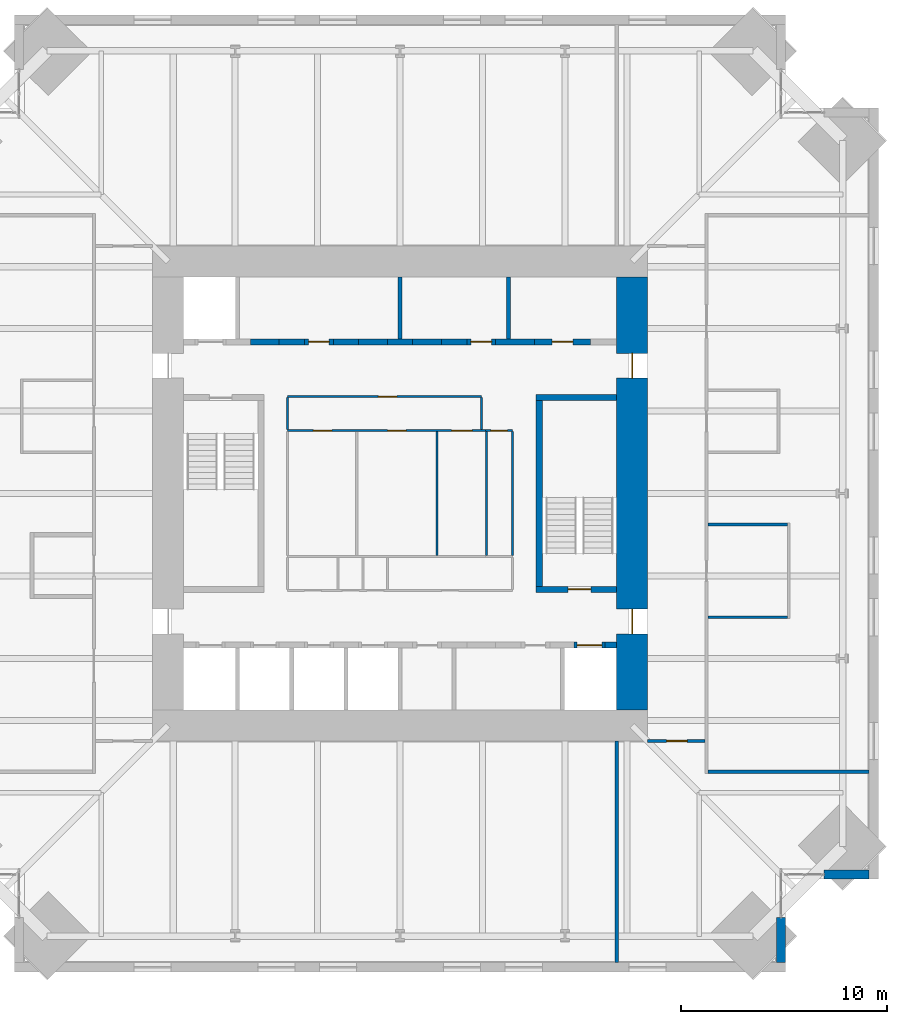
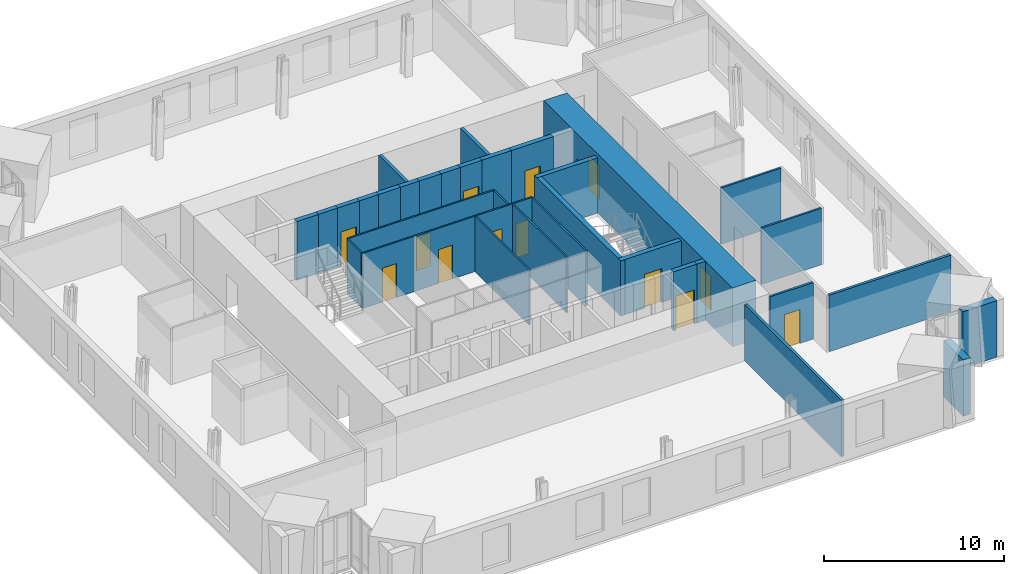
# One storey, part 12 of 15: 34 walls, 13 doors, 13 openings.
"""IFC4 building model written with IfcOpenShell, lengths in metres."""

from ifc_helpers import new_model, si_unit, direction, frame, frame_2d, origin, place, context, subcontext, project, spatial, rectangle, extrude, material, layer, layer_set, type_object, element, fill, save


model = new_model("IFC4")

# Units and contexts
model_context = context("Model", 3, precision=1e-05, world=origin(), true_north=direction((0.0, 1.0)))
body_context = subcontext(model_context, "Body", "Model", "MODEL_VIEW")
ifc_project = project(units=[si_unit("LENGTHUNIT", "METRE"), si_unit("AREAUNIT", "SQUARE_METRE"), si_unit("VOLUMEUNIT", "CUBIC_METRE"), si_unit("PLANEANGLEUNIT", "RADIAN"), si_unit("MASSUNIT", "GRAM", prefix="KILO")], contexts=[model_context])

# Site, building, storey
site_placement = place(None, origin())
site = spatial("IfcSite", under=ifc_project, at=site_placement, CompositionType="ELEMENT")
building_placement = place(site_placement, origin())
building = spatial("IfcBuilding", under=site, at=building_placement, Name="Peilmerk Tower", CompositionType="ELEMENT")
storey_placement = place(building_placement, frame((0.0, 0.0, 233.800048828125)))
storey = spatial("IfcBuildingStorey", under=building, at=storey_placement, Name="L51", CompositionType="ELEMENT", Elevation=233.800048828125)

# Walls
ifc_material_1 = material(Name="Precast concrete C45/55, board-marked finish", Category="concrete")
ifc_layer_1 = layer(ifc_material_1, 0.449951171875)
ifc_layer_set_1 = layer_set([ifc_layer_1], Name="Precast concrete C45/55, board-marked finish")
wall_type_1 = type_object("IfcWallType", Name="EW1 450 precast concrete facade wall, board-marked", PredefinedType="SOLIDWALL", material=ifc_layer_set_1)
for number, where, z_axis, x_axis, name in (
    (1, (18.47509765625, -20.5537109375, 0.0), (0.0, 0.0, 1.0), (0.0, -1.0, 0.0), "Facade wall SEA L51"),
    (2, (20.5537109375, -18.47509765625, 0.0), (0.0, 0.0, 1.0), (1.0, 0.0, 0.0), "Facade wall SEB L51"),
):
    element("IfcWall", number, at=place(storey_placement, frame(where, z_axis=z_axis, x_axis=x_axis)), inside=storey, type_object=wall_type_1, Name=name, PredefinedType="SOLIDWALL", context=body_context, shape_type="SweptSolid", body=[
        extrude(rectangle(XDim=2.1962890625, YDim=0.449951171875, at=frame_2d((1.09814453125, 0.0))), origin(), (0.0, 0.0, 1.0), 3.829833984375),
    ])

# Wall, opening, door
ifc_material_2 = material(Name="Calcium silicate block", Category="masonry")
ifc_layer_2 = layer(ifc_material_2, 0.14990234375)
ifc_layer_set_2 = layer_set([ifc_layer_2], Name="Calcium silicate block")
wall_type_2 = type_object("IfcWallType", Name="IW1 150 corridor partition, EI 60", PredefinedType="PARTITIONING", material=ifc_layer_set_2)
wall_1_placement = place(storey_placement, frame((14.77490234375, -12.0, 0.0), z_axis=(0.0, 0.0, 1.0), x_axis=(-1.0, 0.0, 0.0)))
wall_1 = element("IfcWall", 3, at=wall_1_placement, inside=storey, type_object=wall_type_2, Name="Corridor wall SE L51", PredefinedType="PARTITIONING", context=body_context, shape_type="SweptSolid", body=[
    extrude(rectangle(XDim=2.77490234375, YDim=0.14990234375, at=frame_2d((1.387451171875, 0.0))), origin(), (0.0, 0.0, 1.0), 3.829833984375),
])
opening_1_placement = place(wall_1_placement, frame((0.85009765625, 0.0, 0.0)))
opening_1 = element("IfcOpeningElement", 4, at=opening_1_placement, cuts=wall_1, Name="Opening D1", PredefinedType="OPENING", context=body_context, shape_type="SweptSolid", body=[
    extrude(rectangle(XDim=1.0, YDim=2.300048828125, at=frame_2d((0.5, 1.14990234375))), frame((0.0, 0.0849609375, 0.0), z_axis=(0.0, -1.0, 0.0), x_axis=(1.0, 0.0, 0.0)), (0.0, 0.0, 1.0), 0.169921875),
])
ifc_material_3 = material(Name="Timber door in steel frame", Category="steel")
door_type_1 = type_object("IfcDoorType", Name="D1 1000x2300 room door, EI2 30", OperationType="SINGLE_SWING_LEFT", PredefinedType="DOOR", material=ifc_material_3)
door_1_placement = place(opening_1_placement, origin())
door_1 = element("IfcDoor", 5, at=door_1_placement, inside=storey, type_object=door_type_1, Name="Door Project room L51", OperationType="SINGLE_SWING_LEFT", OverallHeight=2.300048828125, OverallWidth=1.0, PredefinedType="DOOR", context=body_context, shape_type="SweptSolid", body=[
    extrude(rectangle(XDim=1.0, YDim=2.300048828125, at=frame_2d((0.5, 1.14990234375))), frame((0.0, 0.02490234375, 0.0), z_axis=(0.0, -1.0, 0.0), x_axis=(1.0, 0.0, 0.0)), (0.0, 0.0, 1.0), 0.050048828125),
])
fill(opening_1, door_1)

# Walls
ifc_material_4 = material(Name="Concrete C35/45", Category="concrete")
ifc_layer_3 = layer(ifc_material_4, 0.300048828125)
ifc_layer_set_3 = layer_set([ifc_layer_3], Name="Concrete C35/45")
wall_type_3 = type_object("IfcWallType", Name="IW3 300 concrete stair enclosure wall, EI 120", PredefinedType="SOLIDWALL", material=ifc_layer_set_3)
wall_2_placement = place(storey_placement, frame((6.75, -4.800048828125, 0.0), z_axis=(0.0, 0.0, 1.0), x_axis=(0.0, 1.0, 0.0)))
element("IfcWall", 6, at=wall_2_placement, inside=storey, type_object=wall_type_3, Name="Stair 2 enclosure L51", PredefinedType="SOLIDWALL", context=body_context, shape_type="SweptSolid", body=[
    extrude(rectangle(XDim=9.60009765625, YDim=0.300048828125, at=frame_2d((4.800048828125, 0.0))), origin(), (0.0, 0.0, 1.0), 3.75),
])
wall_3_placement = place(storey_placement, frame((6.60009765625, 4.64990234375, 0.0), z_axis=(0.0, 0.0, 1.0), x_axis=(1.0, 0.0, 0.0)))
element("IfcWall", 7, at=wall_3_placement, inside=storey, type_object=wall_type_3, Name="Stair 2 enclosure L51", PredefinedType="SOLIDWALL", context=body_context, shape_type="SweptSolid", body=[
    extrude(rectangle(XDim=3.89990234375, YDim=0.300048828125, at=frame_2d((1.949951171875, 0.0))), origin(), (0.0, 0.0, 1.0), 3.75),
])

# Wall, opening, door
wall_4_placement = place(storey_placement, frame((10.5, -4.64990234375, 0.0), z_axis=(0.0, 0.0, 1.0), x_axis=(-1.0, 0.0, 0.0)))
wall_4 = element("IfcWall", 8, at=wall_4_placement, inside=storey, type_object=wall_type_3, Name="Stair 2 enclosure L51", PredefinedType="SOLIDWALL", context=body_context, shape_type="SweptSolid", body=[
    extrude(rectangle(XDim=3.89990234375, YDim=0.300048828125, at=frame_2d((1.949951171875, 0.0))), origin(), (0.0, 0.0, 1.0), 3.75),
])
opening_2_placement = place(wall_4_placement, frame((1.25, 0.0, 0.0)))
opening_2 = element("IfcOpeningElement", 9, at=opening_2_placement, cuts=wall_4, Name="Opening D4", PredefinedType="OPENING", context=body_context, shape_type="SweptSolid", body=[
    extrude(rectangle(XDim=1.10009765625, YDim=2.300048828125, at=frame_2d((0.550048828125, 1.14990234375))), frame((0.0, 0.159912109375, 0.0), z_axis=(0.0, -1.0, 0.0), x_axis=(1.0, 0.0, 0.0)), (0.0, 0.0, 1.0), 0.320068359375),
])
ifc_material_5 = material(Name="Steel door in steel frame", Category="steel")
door_type_2 = type_object("IfcDoorType", Name="D4 1100x2300 stair door, EI2 60", OperationType="SINGLE_SWING_RIGHT", PredefinedType="DOOR", material=ifc_material_5)
door_2_placement = place(opening_2_placement, frame((1.10009765625, 0.0, 0.0), z_axis=(0.0, 0.0, 1.0), x_axis=(-1.0, 0.0, 0.0)))
door_2 = element("IfcDoor", 10, at=door_2_placement, inside=storey, type_object=door_type_2, Name="Stair 2 door L51", OperationType="SINGLE_SWING_RIGHT", OverallHeight=2.300048828125, OverallWidth=1.10009765625, PredefinedType="DOOR", context=body_context, shape_type="SweptSolid", body=[
    extrude(rectangle(XDim=1.10009765625, YDim=2.300048828125, at=frame_2d((0.550048828125, 1.14990234375))), frame((0.0, 0.02490234375, 0.0), z_axis=(0.0, -1.0, 0.0), x_axis=(1.0, 0.0, 0.0)), (0.0, 0.0, 1.0), 0.050048828125),
])
fill(opening_2, door_2)

# Wall, openings, doors
ifc_material_6 = material(Name="Plasterboard on steel studs", Category="steel")
ifc_layer_4 = layer(ifc_material_6, 0.10009765625)
ifc_layer_set_4 = layer_set([ifc_layer_4], Name="Plasterboard on steel studs")
wall_type_4 = type_object("IfcWallType", Name="IW4 100 WC partition", PredefinedType="PARTITIONING", material=ifc_layer_set_4)
wall_5_placement = place(storey_placement, frame((-5.449951171875, 3.050048828125, 0.0), z_axis=(0.0, 0.0, 1.0), x_axis=(1.0, 0.0, 0.0)))
wall_5 = element("IfcWall", 11, at=wall_5_placement, inside=storey, type_object=wall_type_4, Name="WC wall L51", PredefinedType="PARTITIONING", context=body_context, shape_type="SweptSolid", body=[
    extrude(rectangle(XDim=9.599853515625, YDim=0.10009765625, at=frame_2d((4.7998046875, 0.0))), origin(), (0.0, 0.0, 1.0), 3.75),
])
opening_3_placement = place(wall_5_placement, frame((1.25, 0.0, 0.0)))
opening_3 = element("IfcOpeningElement", 12, at=opening_3_placement, cuts=wall_5, Name="Opening D5", PredefinedType="OPENING", context=body_context, shape_type="SweptSolid", body=[
    extrude(rectangle(XDim=0.89990234375, YDim=2.300048828125, at=frame_2d((0.449951171875, 1.14990234375))), frame((0.0, 0.06005859375, 0.0), z_axis=(0.0, -1.0, 0.0), x_axis=(1.0, 0.0, 0.0)), (0.0, 0.0, 1.0), 0.1201171875),
])
opening_4_placement = place(wall_5_placement, frame((4.85009765625, 0.0, 0.0)))
opening_4 = element("IfcOpeningElement", 13, at=opening_4_placement, cuts=wall_5, Name="Opening D5", PredefinedType="OPENING", context=body_context, shape_type="SweptSolid", body=[
    extrude(rectangle(XDim=0.89990234375, YDim=2.300048828125, at=frame_2d((0.449951171875, 1.14990234375))), frame((0.0, 0.06005859375, 0.0), z_axis=(0.0, -1.0, 0.0), x_axis=(1.0, 0.0, 0.0)), (0.0, 0.0, 1.0), 0.1201171875),
])
opening_5_placement = place(wall_5_placement, frame((7.949951171875, 0.0, 0.0)))
opening_5 = element("IfcOpeningElement", 14, at=opening_5_placement, cuts=wall_5, Name="Opening D6", PredefinedType="OPENING", context=body_context, shape_type="SweptSolid", body=[
    extrude(rectangle(XDim=1.0, YDim=2.300048828125, at=frame_2d((0.5, 1.14990234375))), frame((0.0, 0.06005859375, 0.0), z_axis=(0.0, -1.0, 0.0), x_axis=(1.0, 0.0, 0.0)), (0.0, 0.0, 1.0), 0.1201171875),
])
door_type_3 = type_object("IfcDoorType", Name="D5 900x2300 WC door", OperationType="SINGLE_SWING_LEFT", PredefinedType="DOOR", material=ifc_material_3)
door_3_placement = place(opening_3_placement, frame((0.89990234375, 0.0, 0.0), z_axis=(0.0, 0.0, 1.0), x_axis=(-1.0, 0.0, 0.0)))
door_3 = element("IfcDoor", 15, at=door_3_placement, inside=storey, type_object=door_type_3, Name="Female toilets door L51", OperationType="SINGLE_SWING_LEFT", OverallHeight=2.300048828125, OverallWidth=0.89990234375, PredefinedType="DOOR", context=body_context, shape_type="SweptSolid", body=[
    extrude(rectangle(XDim=0.89990234375, YDim=2.300048828125, at=frame_2d((0.449951171875, 1.14990234375))), frame((0.0, 0.02490234375, 0.0), z_axis=(0.0, -1.0, 0.0), x_axis=(1.0, 0.0, 0.0)), (0.0, 0.0, 1.0), 0.050048828125),
])
fill(opening_3, door_3)
door_4_placement = place(opening_4_placement, frame((0.89990234375, 0.0, 0.0), z_axis=(0.0, 0.0, 1.0), x_axis=(-1.0, 0.0, 0.0)))
door_4 = element("IfcDoor", 16, at=door_4_placement, inside=storey, type_object=door_type_3, Name="Male toilets door L51", OperationType="SINGLE_SWING_LEFT", OverallHeight=2.300048828125, OverallWidth=0.89990234375, PredefinedType="DOOR", context=body_context, shape_type="SweptSolid", body=[
    extrude(rectangle(XDim=0.89990234375, YDim=2.300048828125, at=frame_2d((0.449951171875, 1.14990234375))), frame((0.0, 0.02490234375, 0.0), z_axis=(0.0, -1.0, 0.0), x_axis=(1.0, 0.0, 0.0)), (0.0, 0.0, 1.0), 0.050048828125),
])
fill(opening_4, door_4)
door_type_4 = type_object("IfcDoorType", Name="D6 1000x2300 accessible WC door", OperationType="SLIDING_TO_LEFT", PredefinedType="DOOR", material=ifc_material_3)
door_5_placement = place(opening_5_placement, frame((1.0, 0.0, 0.0), z_axis=(0.0, 0.0, 1.0), x_axis=(-1.0, 0.0, 0.0)))
door_5 = element("IfcDoor", 17, at=door_5_placement, inside=storey, type_object=door_type_4, Name="Accessible WC door L51", OperationType="SLIDING_TO_LEFT", OverallHeight=2.300048828125, OverallWidth=1.0, PredefinedType="DOOR", context=body_context, shape_type="SweptSolid", body=[
    extrude(rectangle(XDim=1.0, YDim=2.300048828125, at=frame_2d((0.5, 1.14990234375))), frame((0.0, 0.02490234375, 0.0), z_axis=(0.0, -1.0, 0.0), x_axis=(1.0, 0.0, 0.0)), (0.0, 0.0, 1.0), 0.050048828125),
])
fill(opening_5, door_5)

# Wall
wall_6_placement = place(storey_placement, frame((1.800048828125, -3.0, 0.0), z_axis=(0.0, 0.0, 1.0), x_axis=(0.0, 1.0, 0.0)))
element("IfcWall", 18, at=wall_6_placement, inside=storey, type_object=wall_type_4, Name="WC wall L51", PredefinedType="PARTITIONING", context=body_context, shape_type="SweptSolid", body=[
    extrude(rectangle(XDim=6.0, YDim=0.10009765625, at=frame_2d((3.0, 0.0))), origin(), (0.0, 0.0, 1.0), 3.75),
])

# Wall, opening, door
ifc_material_7 = material(Name="Calcium silicate board on steel studs", Category="steel")
ifc_layer_5 = layer(ifc_material_7, 0.10009765625)
ifc_layer_set_5 = layer_set([ifc_layer_5], Name="Calcium silicate board on steel studs")
wall_type_5 = type_object("IfcWallType", Name="IW5 100 riser enclosure wall, EI 60", PredefinedType="PARTITIONING", material=ifc_layer_set_5)
wall_7_placement = place(storey_placement, frame((4.14990234375, 3.050048828125, 0.0), z_axis=(0.0, 0.0, 1.0), x_axis=(1.0, 0.0, 0.0)))
wall_7 = element("IfcWall", 19, at=wall_7_placement, inside=storey, type_object=wall_type_5, Name="Riser wall L51", PredefinedType="PARTITIONING", context=body_context, shape_type="SweptSolid", body=[
    extrude(rectangle(XDim=1.300048828125, YDim=0.10009765625, at=frame_2d((0.64990234375, 0.0))), origin(), (0.0, 0.0, 1.0), 3.75),
])
opening_6_placement = place(wall_7_placement, frame((0.25, 0.0, 0.0)))
opening_6 = element("IfcOpeningElement", 20, at=opening_6_placement, cuts=wall_7, Name="Opening D7", PredefinedType="OPENING", context=body_context, shape_type="SweptSolid", body=[
    extrude(rectangle(XDim=0.800048828125, YDim=2.300048828125, at=frame_2d((0.39990234375, 1.14990234375))), frame((0.0, 0.06005859375, 0.0), z_axis=(0.0, -1.0, 0.0), x_axis=(1.0, 0.0, 0.0)), (0.0, 0.0, 1.0), 0.1201171875),
])
door_type_5 = type_object("IfcDoorType", Name="D7 800x2300 riser access door, EI2 60", OperationType="SINGLE_SWING_RIGHT", PredefinedType="DOOR", material=ifc_material_5)
door_6_placement = place(opening_6_placement, frame((0.800048828125, 0.0, 0.0), z_axis=(0.0, 0.0, 1.0), x_axis=(-1.0, 0.0, 0.0)))
door_6 = element("IfcDoor", 21, at=door_6_placement, inside=storey, type_object=door_type_5, Name="Plumbing riser door L51", OperationType="SINGLE_SWING_RIGHT", OverallHeight=2.300048828125, OverallWidth=0.800048828125, PredefinedType="DOOR", context=body_context, shape_type="SweptSolid", body=[
    extrude(rectangle(XDim=0.800048828125, YDim=2.300048828125, at=frame_2d((0.39990234375, 1.14990234375))), frame((0.0, 0.02490234375, 0.0), z_axis=(0.0, -1.0, 0.0), x_axis=(1.0, 0.0, 0.0)), (0.0, 0.0, 1.0), 0.050048828125),
])
fill(opening_6, door_6)

# Walls
for number, where, z_axis, x_axis, name in (
    (22, (5.449951171875, 3.0, 0.0), (0.0, 0.0, 1.0), (0.0, -1.0, 0.0), "Riser wall L51"),
    (23, (4.199951171875, -3.0, 0.0), (0.0, 0.0, 1.0), (0.0, 1.0, 0.0), "Riser wall L51"),
):
    element("IfcWall", number, at=place(storey_placement, frame(where, z_axis=z_axis, x_axis=x_axis)), inside=storey, type_object=wall_type_5, Name=name, PredefinedType="PARTITIONING", context=body_context, shape_type="SweptSolid", body=[
        extrude(rectangle(XDim=6.0, YDim=0.10009765625, at=frame_2d((3.0, 0.0))), origin(), (0.0, 0.0, 1.0), 3.75),
    ])
ifc_material_8 = material(Name="Plasterboard on steel studs, double boarded with mineral wool", Category="steel")
ifc_layer_6 = layer(ifc_material_8, 0.125)
ifc_layer_set_6 = layer_set([ifc_layer_6], Name="Plasterboard on steel studs, double boarded with mineral wool")
wall_type_6 = type_object("IfcWallType", Name="IW7 125 acoustic partition, EI 30", PredefinedType="PARTITIONING", material=ifc_layer_set_6)
for number, where, z_axis, x_axis, name in (
    (24, (14.925048828125, -6.0, 0.0), (0.0, 0.0, 1.0), (1.0, 0.0, 0.0), "Acoustic partition Meeting room L51"),
    (25, (14.925048828125, -1.5, 0.0), (0.0, 0.0, 1.0), (1.0, 0.0, 0.0), "Acoustic partition Meeting room L51"),
):
    element("IfcWall", number, at=place(storey_placement, frame(where, z_axis=z_axis, x_axis=x_axis)), inside=storey, type_object=wall_type_6, Name=name, PredefinedType="PARTITIONING", context=body_context, shape_type="SweptSolid", body=[
        extrude(rectangle(XDim=3.862548828125, YDim=0.125, at=frame_2d((1.93115234375, 0.0))), origin(), (0.0, 0.0, 1.0), 3.829833984375),
    ])
ifc_layer_7 = layer(ifc_material_2, 0.175048828125)
ifc_layer_set_7 = layer_set([ifc_layer_7], Name="Calcium silicate block")
wall_type_7 = type_object("IfcWallType", Name="IW8 175 tenant separating wall, EI 60", PredefinedType="PARTITIONING", material=ifc_layer_set_7)
wall_8_placement = place(storey_placement, frame((22.75, -13.5, 0.0), z_axis=(0.0, 0.0, 1.0), x_axis=(-1.0, 0.0, 0.0)))
element("IfcWall", 26, at=wall_8_placement, inside=storey, type_object=wall_type_7, Name="Tenant separating wall SE L51", PredefinedType="PARTITIONING", context=body_context, shape_type="SweptSolid", body=[
    extrude(rectangle(XDim=7.824951171875, YDim=0.175048828125, at=frame_2d((3.91259765625, 0.0))), origin(), (0.0, 0.0, 1.0), 3.829833984375),
])
wall_9_placement = place(storey_placement, frame((10.5, -12.0, 0.0), z_axis=(0.0, 0.0, 1.0), x_axis=(0.0, -1.0, 0.0)))
element("IfcWall", 27, at=wall_9_placement, inside=storey, type_object=wall_type_7, Name="Tenant separating wall S1 L51", PredefinedType="PARTITIONING", context=body_context, shape_type="SweptSolid", body=[
    extrude(rectangle(XDim=10.75, YDim=0.175048828125, at=frame_2d((5.375, 0.0))), origin(), (0.0, 0.0, 1.0), 3.829833984375),
])

# Wall, opening, door
ifc_material_9 = material(Name="Fire-resisting plasterboard on steel studs", Category="steel")
ifc_layer_8 = layer(ifc_material_9, 0.10009765625)
ifc_layer_set_8 = layer_set([ifc_layer_8], Name="Fire-resisting plasterboard on steel studs")
wall_type_8 = type_object("IfcWallType", Name="IW9 100 WC lobby wall, EI 30", PredefinedType="PARTITIONING", material=ifc_layer_set_8)
wall_10_placement = place(storey_placement, frame((-5.449951171875, 4.699951171875, 0.0), z_axis=(0.0, 0.0, 1.0), x_axis=(1.0, 0.0, 0.0)))
wall_10 = element("IfcWall", 28, at=wall_10_placement, inside=storey, type_object=wall_type_8, Name="WC lobby wall L51", PredefinedType="PARTITIONING", context=body_context, shape_type="SweptSolid", body=[
    extrude(rectangle(XDim=9.39990234375, YDim=0.10009765625, at=frame_2d((4.699951171875, 0.0))), origin(), (0.0, 0.0, 1.0), 3.75),
])
opening_7_placement = place(wall_10_placement, frame((4.39990234375, 0.0, 0.0)))
opening_7 = element("IfcOpeningElement", 29, at=opening_7_placement, cuts=wall_10, Name="Opening D11", PredefinedType="OPENING", context=body_context, shape_type="SweptSolid", body=[
    extrude(rectangle(XDim=0.89990234375, YDim=2.300048828125, at=frame_2d((0.449951171875, 1.14990234375))), frame((0.0, 0.06005859375, 0.0), z_axis=(0.0, -1.0, 0.0), x_axis=(1.0, 0.0, 0.0)), (0.0, 0.0, 1.0), 0.1201171875),
])
door_type_6 = type_object("IfcDoorType", Name="D11 900x2300 WC lobby door, EI2 30", OperationType="SINGLE_SWING_LEFT", PredefinedType="DOOR", material=ifc_material_3)
door_7_placement = place(opening_7_placement, frame((0.89990234375, 0.0, 0.0), z_axis=(0.0, 0.0, 1.0), x_axis=(-1.0, 0.0, 0.0)))
door_7 = element("IfcDoor", 30, at=door_7_placement, inside=storey, type_object=door_type_6, Name="WC lobby door L51", OperationType="SINGLE_SWING_LEFT", OverallHeight=2.300048828125, OverallWidth=0.89990234375, PredefinedType="DOOR", context=body_context, shape_type="SweptSolid", body=[
    extrude(rectangle(XDim=0.89990234375, YDim=2.300048828125, at=frame_2d((0.449951171875, 1.14990234375))), frame((0.0, 0.02490234375, 0.0), z_axis=(0.0, -1.0, 0.0), x_axis=(1.0, 0.0, 0.0)), (0.0, 0.0, 1.0), 0.050048828125),
])
fill(opening_7, door_7)

# Walls
for number, where, z_axis, x_axis, name in (
    (31, (-5.449951171875, 3.10009765625, 0.0), (0.0, 0.0, 1.0), (0.0, 1.0, 0.0), "WC lobby wall L51"),
    (32, (3.949951171875, 3.10009765625, 0.0), (0.0, 0.0, 1.0), (0.0, 1.0, 0.0), "WC lobby wall L51"),
):
    element("IfcWall", number, at=place(storey_placement, frame(where, z_axis=z_axis, x_axis=x_axis)), inside=storey, type_object=wall_type_8, Name=name, PredefinedType="PARTITIONING", context=body_context, shape_type="SweptSolid", body=[
        extrude(rectangle(XDim=1.5498046875, YDim=0.10009765625, at=frame_2d((0.77490234375, 0.0))), origin(), (0.0, 0.0, 1.0), 3.75),
    ])
ifc_layer_9 = layer(ifc_material_2, 0.199951171875)
ifc_layer_set_9 = layer_set([ifc_layer_9], Name="Calcium silicate block")
wall_type_9 = type_object("IfcWallType", Name="SH1 200 shaft dividing wall, EI 120", PredefinedType="PARTITIONING", material=ifc_layer_set_9)
for number, where, z_axis, x_axis, name in (
    (33, (0.0, 7.5, 0.0), (0.0, 0.0, 1.0), (0.0, 1.0, 0.0), "Shaft wall N A3 L51"),
    (34, (5.25, 7.5, 0.0), (0.0, 0.0, 1.0), (0.0, 1.0, 0.0), "Shaft wall N S2 L51"),
):
    element("IfcWall", number, at=place(storey_placement, frame(where, z_axis=z_axis, x_axis=x_axis)), inside=storey, type_object=wall_type_9, Name=name, PredefinedType="PARTITIONING", context=body_context, shape_type="SweptSolid", body=[
        extrude(rectangle(XDim=3.0, YDim=0.199951171875, at=frame_2d((1.5, 0.0))), origin(), (0.0, 0.0, 1.0), 4.0),
    ])
ifc_layer_10 = layer(ifc_material_2, 0.300048828125)
ifc_layer_set_10 = layer_set([ifc_layer_10], Name="Calcium silicate block")
wall_type_10 = type_object("IfcWallType", Name="SH2 300 lift landing door panel, EI 120", PredefinedType="PARTITIONING", material=ifc_layer_set_10)
wall_11_placement = place(storey_placement, frame((-7.262451171875, 7.35009765625, 0.0), z_axis=(0.0, 0.0, 1.0), x_axis=(1.0, 0.0, 0.0)))
element("IfcWall", 35, at=wall_11_placement, inside=storey, type_object=wall_type_10, Name="Lift door panel N A1 L51", PredefinedType="PARTITIONING", context=body_context, shape_type="SweptSolid", body=[
    extrude(rectangle(XDim=1.39990234375, YDim=0.300048828125, at=frame_2d((0.699951171875, 0.0))), origin(), (0.0, 0.0, 1.0), 4.0),
])

# Wall, opening, door
wall_12_placement = place(storey_placement, frame((-4.637451171875, 7.35009765625, 0.0), z_axis=(0.0, 0.0, 1.0), x_axis=(1.0, 0.0, 0.0)))
wall_12 = element("IfcWall", 36, at=wall_12_placement, inside=storey, type_object=wall_type_10, Name="Lift door panel N A2 L51", PredefinedType="PARTITIONING", context=body_context, shape_type="SweptSolid", body=[
    extrude(rectangle(XDim=1.39990234375, YDim=0.300048828125, at=frame_2d((0.699951171875, 0.0))), origin(), (0.0, 0.0, 1.0), 4.0),
])
opening_8_placement = place(wall_12_placement, frame((0.199951171875, 0.0, 0.0)))
opening_8 = element("IfcOpeningElement", 37, at=opening_8_placement, cuts=wall_12, Name="Opening D10", PredefinedType="OPENING", context=body_context, shape_type="SweptSolid", body=[
    extrude(rectangle(XDim=1.0, YDim=2.300048828125, at=frame_2d((0.5, 1.14990234375))), frame((0.0, 0.159912109375, 0.0), z_axis=(0.0, -1.0, 0.0), x_axis=(1.0, 0.0, 0.0)), (0.0, 0.0, 1.0), 0.320068359375),
])
door_type_7 = type_object("IfcDoorType", Name="D10 1000x2300 core room door, EI2 60", OperationType="SINGLE_SWING_RIGHT", PredefinedType="DOOR", material=ifc_material_5)
door_8_placement = place(opening_8_placement, origin())
door_8 = element("IfcDoor", 38, at=door_8_placement, inside=storey, type_object=door_type_7, Name="Door Mail room L51", OperationType="SINGLE_SWING_RIGHT", OverallHeight=2.300048828125, OverallWidth=1.0, PredefinedType="DOOR", context=body_context, shape_type="SweptSolid", body=[
    extrude(rectangle(XDim=1.0, YDim=2.300048828125, at=frame_2d((0.5, 1.14990234375))), frame((0.0, 0.02490234375, 0.0), z_axis=(0.0, -1.0, 0.0), x_axis=(1.0, 0.0, 0.0)), (0.0, 0.0, 1.0), 0.050048828125),
])
fill(opening_8, door_8)

# Walls
for number, where, z_axis, x_axis, name in (
    (39, (-2.012451171875, 7.35009765625, 0.0), (0.0, 0.0, 1.0), (1.0, 0.0, 0.0), "Lift door panel N A3 L51"),
    (40, (0.612548828125, 7.35009765625, 0.0), (0.0, 0.0, 1.0), (1.0, 0.0, 0.0), "Lift door panel N S1 L51"),
):
    element("IfcWall", number, at=place(storey_placement, frame(where, z_axis=z_axis, x_axis=x_axis)), inside=storey, type_object=wall_type_10, Name=name, PredefinedType="PARTITIONING", context=body_context, shape_type="SweptSolid", body=[
        extrude(rectangle(XDim=1.39990234375, YDim=0.300048828125, at=frame_2d((0.699951171875, 0.0))), origin(), (0.0, 0.0, 1.0), 4.0),
    ])

# Wall, opening, door
wall_13_placement = place(storey_placement, frame((3.237548828125, 7.35009765625, 0.0), z_axis=(0.0, 0.0, 1.0), x_axis=(1.0, 0.0, 0.0)))
wall_13 = element("IfcWall", 41, at=wall_13_placement, inside=storey, type_object=wall_type_10, Name="Lift door panel N S2 L51", PredefinedType="PARTITIONING", context=body_context, shape_type="SweptSolid", body=[
    extrude(rectangle(XDim=1.39990234375, YDim=0.300048828125, at=frame_2d((0.699951171875, 0.0))), origin(), (0.0, 0.0, 1.0), 4.0),
])
opening_9_placement = place(wall_13_placement, frame((0.199951171875, 0.0, 0.0)))
opening_9 = element("IfcOpeningElement", 42, at=opening_9_placement, cuts=wall_13, Name="Opening D10", PredefinedType="OPENING", context=body_context, shape_type="SweptSolid", body=[
    extrude(rectangle(XDim=1.0, YDim=2.300048828125, at=frame_2d((0.5, 1.14990234375))), frame((0.0, 0.159912109375, 0.0), z_axis=(0.0, -1.0, 0.0), x_axis=(1.0, 0.0, 0.0)), (0.0, 0.0, 1.0), 0.320068359375),
])
door_9_placement = place(opening_9_placement, origin())
door_9 = element("IfcDoor", 43, at=door_9_placement, inside=storey, type_object=door_type_7, Name="Door Staff room L51", OperationType="SINGLE_SWING_RIGHT", OverallHeight=2.300048828125, OverallWidth=1.0, PredefinedType="DOOR", context=body_context, shape_type="SweptSolid", body=[
    extrude(rectangle(XDim=1.0, YDim=2.300048828125, at=frame_2d((0.5, 1.14990234375))), frame((0.0, 0.02490234375, 0.0), z_axis=(0.0, -1.0, 0.0), x_axis=(1.0, 0.0, 0.0)), (0.0, 0.0, 1.0), 0.050048828125),
])
fill(opening_9, door_9)

wall_14_placement = place(storey_placement, frame((6.52490234375, 7.35009765625, 0.0), z_axis=(0.0, 0.0, 1.0), x_axis=(1.0, 0.0, 0.0)))
wall_14 = element("IfcWall", 44, at=wall_14_placement, inside=storey, type_object=wall_type_10, Name="Lift door panel N GL1 L51", PredefinedType="PARTITIONING", context=body_context, shape_type="SweptSolid", body=[
    extrude(rectangle(XDim=2.7001953125, YDim=0.300048828125, at=frame_2d((1.35009765625, 0.0))), origin(), (0.0, 0.0, 1.0), 4.0),
])
opening_10_placement = place(wall_14_placement, frame((0.85009765625, 0.0, 0.0)))
opening_10 = element("IfcOpeningElement", 45, at=opening_10_placement, cuts=wall_14, Name="Opening D10", PredefinedType="OPENING", context=body_context, shape_type="SweptSolid", body=[
    extrude(rectangle(XDim=1.0, YDim=2.300048828125, at=frame_2d((0.5, 1.14990234375))), frame((0.0, 0.159912109375, 0.0), z_axis=(0.0, -1.0, 0.0), x_axis=(1.0, 0.0, 0.0)), (0.0, 0.0, 1.0), 0.320068359375),
])
door_10_placement = place(opening_10_placement, origin())
door_10 = element("IfcDoor", 46, at=door_10_placement, inside=storey, type_object=door_type_7, Name="Door Staff WC L51", OperationType="SINGLE_SWING_RIGHT", OverallHeight=2.300048828125, OverallWidth=1.0, PredefinedType="DOOR", context=body_context, shape_type="SweptSolid", body=[
    extrude(rectangle(XDim=1.0, YDim=2.300048828125, at=frame_2d((0.5, 1.14990234375))), frame((0.0, 0.02490234375, 0.0), z_axis=(0.0, -1.0, 0.0), x_axis=(1.0, 0.0, 0.0)), (0.0, 0.0, 1.0), 0.050048828125),
])
fill(opening_10, door_10)

wall_15_placement = place(storey_placement, frame((8.4375, -7.35009765625, 0.0), z_axis=(0.0, 0.0, 1.0), x_axis=(1.0, 0.0, 0.0)))
wall_15 = element("IfcWall", 47, at=wall_15_placement, inside=storey, type_object=wall_type_10, Name="Lift door panel S FL2 L51", PredefinedType="PARTITIONING", context=body_context, shape_type="SweptSolid", body=[
    extrude(rectangle(XDim=1.5, YDim=0.300048828125, at=frame_2d((0.75, 0.0))), origin(), (0.0, 0.0, 1.0), 4.0),
])
opening_11_placement = place(wall_15_placement, frame((0.14990234375, 0.0, 0.0)))
opening_11 = element("IfcOpeningElement", 48, at=opening_11_placement, cuts=wall_15, Name="Opening LD2", PredefinedType="OPENING", context=body_context, shape_type="SweptSolid", body=[
    extrude(rectangle(XDim=1.199951171875, YDim=2.300048828125, at=frame_2d((0.60009765625, 1.14990234375))), frame((0.0, 0.159912109375, 0.0), z_axis=(0.0, -1.0, 0.0), x_axis=(1.0, 0.0, 0.0)), (0.0, 0.0, 1.0), 0.320068359375),
])
ifc_material_10 = material(Name="Stainless steel landing door", Category="steel")
door_type_8 = type_object("IfcDoorType", Name="LD2 1200x2300 lift landing door, sliding, EI2 60", OperationType="SLIDING_TO_LEFT", PredefinedType="DOOR", material=ifc_material_10)
door_11_placement = place(opening_11_placement, origin())
door_11 = element("IfcDoor", 49, at=door_11_placement, inside=storey, type_object=door_type_8, Name="Lift landing door FL2 L51", OperationType="SLIDING_TO_LEFT", OverallHeight=2.300048828125, OverallWidth=1.199951171875, PredefinedType="DOOR", context=body_context, shape_type="SweptSolid", body=[
    extrude(rectangle(XDim=1.199951171875, YDim=2.300048828125, at=frame_2d((0.60009765625, 1.14990234375))), frame((0.0, 0.02490234375, 0.0), z_axis=(0.0, -1.0, 0.0), x_axis=(1.0, 0.0, 0.0)), (0.0, 0.0, 1.0), 0.050048828125),
])
fill(opening_11, door_11)

# Wall, openings, doors
ifc_material_11 = material(Name="Concrete C55/67", Category="concrete")
ifc_layer_11 = layer(ifc_material_11, 1.5)
ifc_layer_set_11 = layer_set([ifc_layer_11], Name="Concrete C55/67")
wall_type_11 = type_object("IfcWallType", Name="SW1 1500 core wall", PredefinedType="SHEAR", material=ifc_layer_set_11)
wall_16_placement = place(storey_placement, frame((11.25, 10.5, 0.0), z_axis=(0.0, 0.0, 1.0), x_axis=(0.0, -1.0, 0.0)))
wall_16 = element("IfcWall", 50, at=wall_16_placement, inside=storey, type_object=wall_type_11, Name="Core wall E L51", PredefinedType="SHEAR", context=body_context, shape_type="SweptSolid", body=[
    extrude(rectangle(XDim=21.0, YDim=1.5, at=frame_2d((10.5, 0.0))), origin(), (0.0, 0.0, 1.0), 4.0),
])
opening_12_placement = place(wall_16_placement, frame((3.699951171875, 0.0, 0.0)))
opening_12 = element("IfcOpeningElement", 51, at=opening_12_placement, cuts=wall_16, Name="Opening D3", PredefinedType="OPENING", context=body_context, shape_type="SweptSolid", body=[
    extrude(rectangle(XDim=1.199951171875, YDim=2.300048828125, at=frame_2d((0.60009765625, 1.14990234375))), frame((0.0, 0.760009765625, 0.0), z_axis=(0.0, -1.0, 0.0), x_axis=(1.0, 0.0, 0.0)), (0.0, 0.0, 1.0), 1.52001953125),
])
opening_13_placement = place(wall_16_placement, frame((16.10009765625, 0.0, 0.0)))
opening_13 = element("IfcOpeningElement", 52, at=opening_13_placement, cuts=wall_16, Name="Opening D3", PredefinedType="OPENING", context=body_context, shape_type="SweptSolid", body=[
    extrude(rectangle(XDim=1.199951171875, YDim=2.300048828125, at=frame_2d((0.60009765625, 1.14990234375))), frame((0.0, 0.760009765625, 0.0), z_axis=(0.0, -1.0, 0.0), x_axis=(1.0, 0.0, 0.0)), (0.0, 0.0, 1.0), 1.52001953125),
])
door_type_9 = type_object("IfcDoorType", Name="D3 1200x2300 core door, EI2 60", OperationType="SINGLE_SWING_LEFT", PredefinedType="DOOR", material=ifc_material_5)
door_12_placement = place(opening_12_placement, frame((1.199951171875, 0.0, 0.0), z_axis=(0.0, 0.0, 1.0), x_axis=(-1.0, 0.0, 0.0)))
door_12 = element("IfcDoor", 53, at=door_12_placement, inside=storey, type_object=door_type_9, Name="Core door L51", OperationType="SINGLE_SWING_LEFT", OverallHeight=2.300048828125, OverallWidth=1.199951171875, PredefinedType="DOOR", context=body_context, shape_type="SweptSolid", body=[
    extrude(rectangle(XDim=1.199951171875, YDim=2.300048828125, at=frame_2d((0.60009765625, 1.14990234375))), frame((0.0, 0.02490234375, 0.0), z_axis=(0.0, -1.0, 0.0), x_axis=(1.0, 0.0, 0.0)), (0.0, 0.0, 1.0), 0.050048828125),
])
fill(opening_12, door_12)
door_13_placement = place(opening_13_placement, frame((1.199951171875, 0.0, 0.0), z_axis=(0.0, 0.0, 1.0), x_axis=(-1.0, 0.0, 0.0)))
door_13 = element("IfcDoor", 54, at=door_13_placement, inside=storey, type_object=door_type_9, Name="Core door L51", OperationType="SINGLE_SWING_LEFT", OverallHeight=2.300048828125, OverallWidth=1.199951171875, PredefinedType="DOOR", context=body_context, shape_type="SweptSolid", body=[
    extrude(rectangle(XDim=1.199951171875, YDim=2.300048828125, at=frame_2d((0.60009765625, 1.14990234375))), frame((0.0, 0.02490234375, 0.0), z_axis=(0.0, -1.0, 0.0), x_axis=(1.0, 0.0, 0.0)), (0.0, 0.0, 1.0), 0.050048828125),
])
fill(opening_13, door_13)

# Walls
ifc_layer_12 = layer(ifc_material_11, 0.300048828125)
ifc_layer_set_12 = layer_set([ifc_layer_12], Name="Concrete C55/67")
wall_type_12 = type_object("IfcWallType", Name="SW2 300 lift bank pier", PredefinedType="SHEAR", material=ifc_layer_set_12)
for number, where, z_axis, x_axis, name in (
    (55, (-5.862548828125, 7.35009765625, 0.0), (0.0, 0.0, 1.0), (1.0, 0.0, 0.0), "Lift bank pier N L51"),
    (56, (-3.237548828125, 7.35009765625, 0.0), (0.0, 0.0, 1.0), (1.0, 0.0, 0.0), "Lift bank pier N L51"),
    (57, (-0.612548828125, 7.35009765625, 0.0), (0.0, 0.0, 1.0), (1.0, 0.0, 0.0), "Lift bank pier N L51"),
    (58, (2.012451171875, 7.35009765625, 0.0), (0.0, 0.0, 1.0), (1.0, 0.0, 0.0), "Lift bank pier N L51"),
):
    element("IfcWall", number, at=place(storey_placement, frame(where, z_axis=z_axis, x_axis=x_axis)), inside=storey, type_object=wall_type_12, Name=name, PredefinedType="SHEAR", context=body_context, shape_type="SweptSolid", body=[
        extrude(rectangle(XDim=1.22509765625, YDim=0.300048828125, at=frame_2d((0.612548828125, 0.0))), origin(), (0.0, 0.0, 1.0), 4.0),
    ])
wall_17_placement = place(storey_placement, frame((4.637451171875, 7.35009765625, 0.0), z_axis=(0.0, 0.0, 1.0), x_axis=(1.0, 0.0, 0.0)))
element("IfcWall", 59, at=wall_17_placement, inside=storey, type_object=wall_type_12, Name="Lift bank pier N L51", PredefinedType="SHEAR", context=body_context, shape_type="SweptSolid", body=[
    extrude(rectangle(XDim=1.887451171875, YDim=0.300048828125, at=frame_2d((0.94384765625, 0.0))), origin(), (0.0, 0.0, 1.0), 4.0),
])
wall_18_placement = place(storey_placement, frame((9.9375, -7.35009765625, 0.0), z_axis=(0.0, 0.0, 1.0), x_axis=(1.0, 0.0, 0.0)))
element("IfcWall", 60, at=wall_18_placement, inside=storey, type_object=wall_type_12, Name="Lift bank pier S L51", PredefinedType="SHEAR", context=body_context, shape_type="SweptSolid", body=[
    extrude(rectangle(XDim=0.5625, YDim=0.300048828125, at=frame_2d((0.28125, 0.0))), origin(), (0.0, 0.0, 1.0), 4.0),
])

save(model, "model.ifc")
